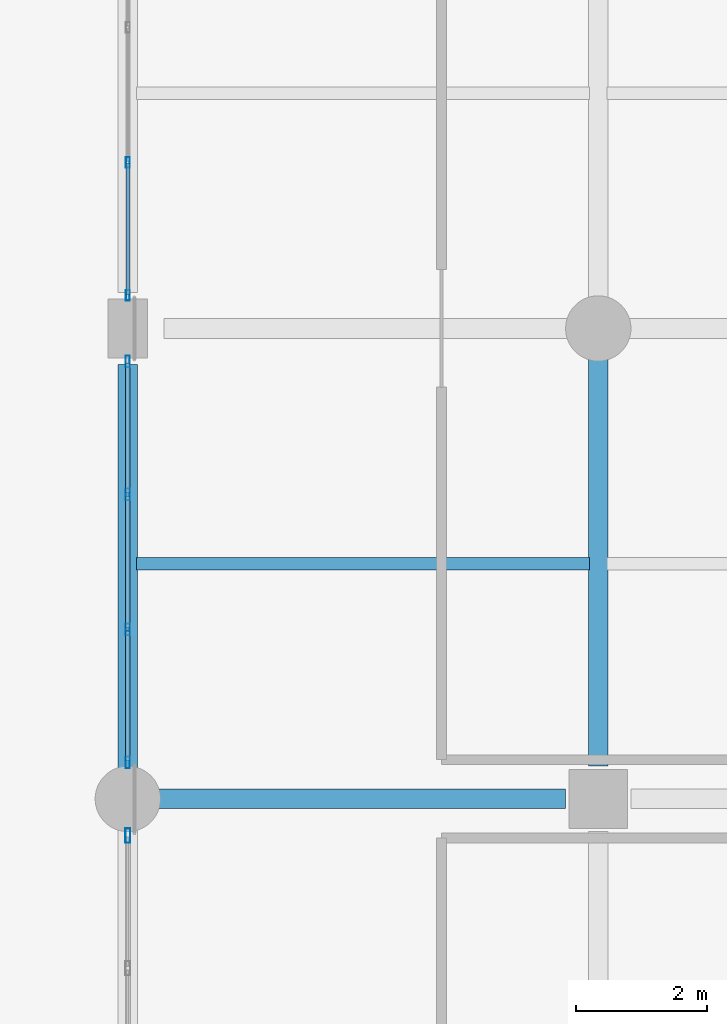
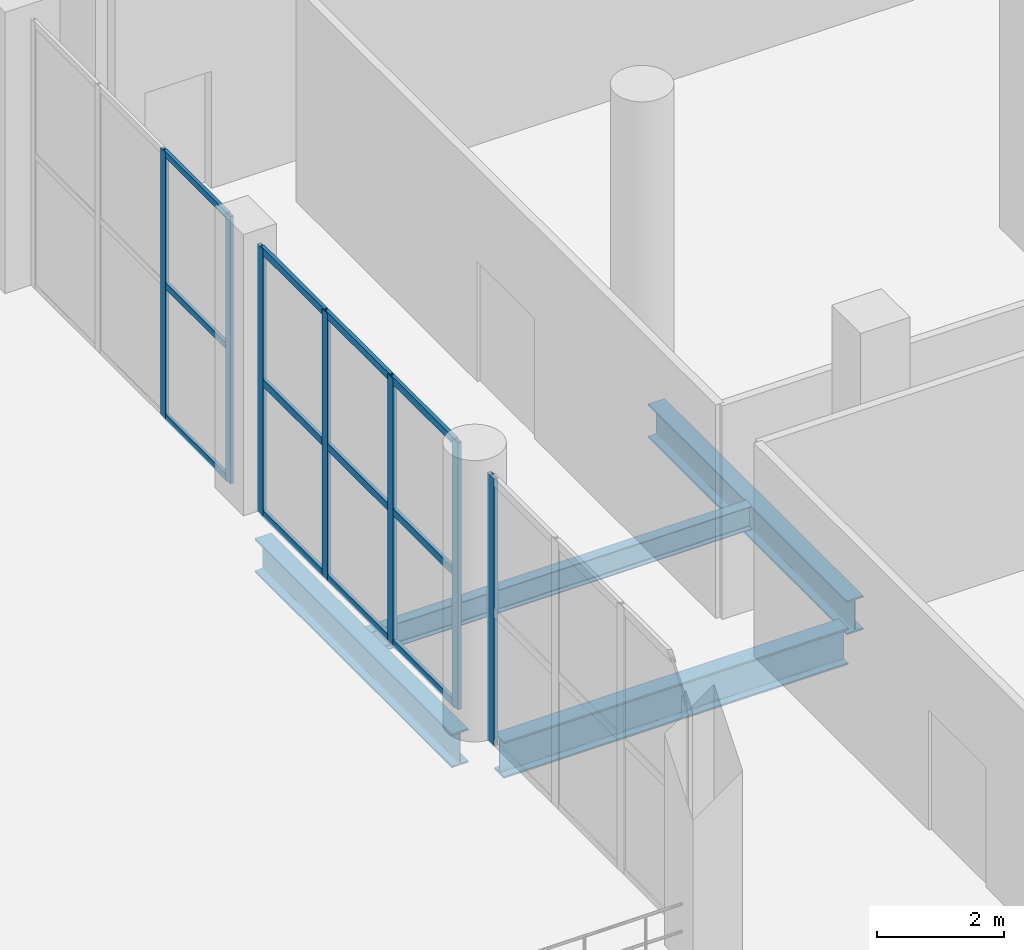
# One storey, part 19 of 58: 19 members, 4 beams, 3 elements without a shape of their own.
"""IFC4 building model written with IfcOpenShell, lengths in metres."""

from ifc_helpers import new_model, si_unit, direction, frame, origin, origin_2d, place, context, subcontext, project, spatial, hollow_rectangle, i_section, extrude, material, material_profile, profile_set, type_object, element, aggregate, save


model = new_model("IFC4")

# Units and contexts
model_context = context("Model", 3, precision=1e-05, world=origin(), true_north=direction((0.0, 1.0)))
body_context = subcontext(model_context, "Body", "Model", "MODEL_VIEW")
ifc_project = project(units=[si_unit("LENGTHUNIT", "METRE"), si_unit("AREAUNIT", "SQUARE_METRE"), si_unit("VOLUMEUNIT", "CUBIC_METRE"), si_unit("PLANEANGLEUNIT", "RADIAN"), si_unit("MASSUNIT", "GRAM", prefix="KILO")], contexts=[model_context])

# Site, building, storey
site_placement = place(None, origin())
site = spatial("IfcSite", under=ifc_project, at=site_placement, CompositionType="ELEMENT")
building_placement = place(site_placement, origin())
building = spatial("IfcBuilding", under=site, at=building_placement, Name="Qandorah Velis Arena", CompositionType="ELEMENT")
storey_placement = place(building_placement, origin())
storey = spatial("IfcBuildingStorey", under=building, at=storey_placement, Name="L00", CompositionType="ELEMENT", Elevation=0.0)

# Curtain wall, members
ifc_material_1 = material(Name="Solar-control low-E double glazing", Category="glass")
curtain_wall_type_1 = type_object("IfcCurtainWallType", Name="ARC-CW-SYS23", PredefinedType="USERDEFINED", material=ifc_material_1)
curtain_wall_1_placement = place(storey_placement, origin())
curtain_wall_1 = element("IfcCurtainWall", 1, at=curtain_wall_1_placement, inside=storey, type_object=curtain_wall_type_1, Name="Unitised curtain wall L00-119", ObjectType="UNITISED CURTAIN WALL", PredefinedType="USERDEFINED")
ifc_material_2 = material(Name="Champagne-bronze anodized aluminium 6063-T6", Category="aluminium")
ifc_material_profile_1 = material_profile(ifc_material_2, hollow_rectangle(XDim=0.06005859375, YDim=0.159912109375, WallThickness=0.00341796875, at=origin_2d()), Name="ALU MULLION 60x160")
ifc_profile_set_1 = profile_set([ifc_material_profile_1], Name="Champagne-bronze anodized aluminium 6063-T6")
member_type_1 = type_object("IfcMemberType", Name="ARC-CWM-160", PredefinedType="MULLION", material=ifc_profile_set_1)
member_1_placement = place(storey_placement, frame((151.199951171875, 72.5048828125, -0.014892578125), z_axis=(0.0, 0.0, 1.0), x_axis=(-1.0, 0.0, 0.0)))
member_1 = element("IfcMember", 2, at=member_1_placement, type_object=member_type_1, Name="CW23 mullion 1", PredefinedType="MULLION", context=body_context, shape_type="SweptSolid", body=[
    extrude(hollow_rectangle(XDim=0.06005859375, YDim=0.159912109375, WallThickness=0.00341796875, at=origin_2d()), origin(), (0.0, 0.0, 1.0), 5.1298828125),
])
member_2_placement = place(storey_placement, frame((151.199951171875, 74.541748046875, -0.014892578125), z_axis=(0.0, 0.0, 1.0), x_axis=(-1.0, 0.0, 0.0)))
member_2 = element("IfcMember", 3, at=member_2_placement, type_object=member_type_1, Name="CW23 mullion 2", PredefinedType="MULLION", context=body_context, shape_type="SweptSolid", body=[
    extrude(hollow_rectangle(XDim=0.06005859375, YDim=0.159912109375, WallThickness=0.00341796875, at=origin_2d()), origin(), (0.0, 0.0, 1.0), 5.1298828125),
])

curtain_wall_type_2 = type_object("IfcCurtainWallType", Name="ARC-CW-SYS22", PredefinedType="USERDEFINED", material=ifc_material_1)
curtain_wall_2_placement = place(storey_placement, origin())
curtain_wall_2 = element("IfcCurtainWall", 4, at=curtain_wall_2_placement, inside=storey, type_object=curtain_wall_type_2, Name="Unitised curtain wall L00-118", ObjectType="UNITISED CURTAIN WALL", PredefinedType="USERDEFINED")
ifc_material_profile_2 = material_profile(ifc_material_2, hollow_rectangle(XDim=0.06494140625, YDim=0.179931640625, WallThickness=0.00341796875, at=origin_2d()), Name="ALU MULLION 65x180")
ifc_profile_set_2 = profile_set([ifc_material_profile_2], Name="Champagne-bronze anodized aluminium 6063-T6")
member_type_2 = type_object("IfcMemberType", Name="ARC-CWM-180", PredefinedType="MULLION", material=ifc_profile_set_2)
member_3_placement = place(storey_placement, frame((151.199951171875, 65.357421875, -0.014892578125), z_axis=(0.0, 0.0, 1.0), x_axis=(-1.0, 0.0, 0.0)))
member_3 = element("IfcMember", 5, at=member_3_placement, type_object=member_type_2, Name="CW22 mullion 1", PredefinedType="MULLION", context=body_context, shape_type="SweptSolid", body=[
    extrude(hollow_rectangle(XDim=0.06494140625, YDim=0.179931640625, WallThickness=0.00341796875, at=origin_2d()), origin(), (0.0, 0.0, 1.0), 5.1298828125),
])
member_4_placement = place(storey_placement, frame((151.199951171875, 67.3916015625, -0.014892578125), z_axis=(0.0, 0.0, 1.0), x_axis=(-1.0, 0.0, 0.0)))
member_4 = element("IfcMember", 6, at=member_4_placement, type_object=member_type_2, Name="CW22 mullion 2", PredefinedType="MULLION", context=body_context, shape_type="SweptSolid", body=[
    extrude(hollow_rectangle(XDim=0.06494140625, YDim=0.179931640625, WallThickness=0.00341796875, at=origin_2d()), origin(), (0.0, 0.0, 1.0), 5.1298828125),
])
member_5_placement = place(storey_placement, frame((151.199951171875, 69.458251953125, -0.014892578125), z_axis=(0.0, 0.0, 1.0), x_axis=(-1.0, 0.0, 0.0)))
member_5 = element("IfcMember", 7, at=member_5_placement, type_object=member_type_2, Name="CW22 mullion 3", PredefinedType="MULLION", context=body_context, shape_type="SweptSolid", body=[
    extrude(hollow_rectangle(XDim=0.06494140625, YDim=0.179931640625, WallThickness=0.00341796875, at=origin_2d()), origin(), (0.0, 0.0, 1.0), 5.1298828125),
])
member_6_placement = place(storey_placement, frame((151.199951171875, 71.492431640625, -0.014892578125), z_axis=(0.0, 0.0, 1.0), x_axis=(-1.0, 0.0, 0.0)))
member_6 = element("IfcMember", 8, at=member_6_placement, type_object=member_type_2, Name="CW22 mullion 4", PredefinedType="MULLION", context=body_context, shape_type="SweptSolid", body=[
    extrude(hollow_rectangle(XDim=0.06494140625, YDim=0.179931640625, WallThickness=0.00341796875, at=origin_2d()), origin(), (0.0, 0.0, 1.0), 5.1298828125),
])

# Curtain wall, member
curtain_wall_type_3 = type_object("IfcCurtainWallType", Name="ARC-CW-SYS21", PredefinedType="USERDEFINED", material=ifc_material_1)
curtain_wall_3_placement = place(storey_placement, origin())
curtain_wall_3 = element("IfcCurtainWall", 9, at=curtain_wall_3_placement, inside=storey, type_object=curtain_wall_type_3, Name="Unitised curtain wall L00-117", ObjectType="UNITISED CURTAIN WALL", PredefinedType="USERDEFINED")
ifc_material_profile_3 = material_profile(ifc_material_2, hollow_rectangle(XDim=0.074951171875, YDim=0.219970703125, WallThickness=0.00390625, at=origin_2d()), Name="ALU MULLION 75x220")
ifc_profile_set_3 = profile_set([ifc_material_profile_3], Name="Champagne-bronze anodized aluminium 6063-T6")
member_type_3 = type_object("IfcMemberType", Name="ARC-CWM-220", PredefinedType="MULLION", material=ifc_profile_set_3)
member_7_placement = place(storey_placement, frame((151.199951171875, 64.237548828125, -0.014892578125), z_axis=(0.0, 0.0, 1.0), x_axis=(-1.0, 0.0, 0.0)))
member_7 = element("IfcMember", 10, at=member_7_placement, type_object=member_type_3, Name="CW21 mullion 4", PredefinedType="MULLION", context=body_context, shape_type="SweptSolid", body=[
    extrude(hollow_rectangle(XDim=0.074951171875, YDim=0.219970703125, WallThickness=0.00390625, at=origin_2d()), origin(), (0.0, 0.0, 1.0), 5.1298828125),
])
aggregate(curtain_wall_3, [member_7])

# Member
ifc_material_profile_4 = material_profile(ifc_material_2, hollow_rectangle(XDim=0.06005859375, YDim=0.1201171875, WallThickness=0.0029296875, at=origin_2d()), Name="ALU TRANSOM 60x120")
ifc_profile_set_4 = profile_set([ifc_material_profile_4], Name="Champagne-bronze anodized aluminium 6063-T6")
member_type_4 = type_object("IfcMemberType", Name="ARC-CWT-120", PredefinedType="USERDEFINED", material=ifc_profile_set_4)
member_8_placement = place(storey_placement, frame((151.199951171875, 72.52294921875, 0.030029296875), z_axis=(0.0, 1.0, 0.0), x_axis=(-1.0, 0.0, 0.0)))
member_8 = element("IfcMember", 11, at=member_8_placement, type_object=member_type_4, Name="CW23 transom 1.1", ObjectType="TRANSOM", PredefinedType="USERDEFINED", context=body_context, shape_type="SweptSolid", body=[
    extrude(hollow_rectangle(XDim=0.06005859375, YDim=0.1201171875, WallThickness=0.0029296875, at=origin_2d()), origin(), (0.0, 0.0, 1.0), 2.000732421875),
])

member_9_placement = place(storey_placement, frame((151.199951171875, 72.52294921875, 2.550048828125), z_axis=(0.0, 1.0, 0.0), x_axis=(-1.0, 0.0, 0.0)))
member_9 = element("IfcMember", 12, at=member_9_placement, type_object=member_type_4, Name="CW23 transom 1.2", ObjectType="TRANSOM", PredefinedType="USERDEFINED", context=body_context, shape_type="SweptSolid", body=[
    extrude(hollow_rectangle(XDim=0.06005859375, YDim=0.1201171875, WallThickness=0.0029296875, at=origin_2d()), origin(), (0.0, 0.0, 1.0), 2.000732421875),
])

member_10_placement = place(storey_placement, frame((151.199951171875, 72.52294921875, 5.070068359375), z_axis=(0.0, 1.0, 0.0), x_axis=(-1.0, 0.0, 0.0)))
member_10 = element("IfcMember", 13, at=member_10_placement, type_object=member_type_4, Name="CW23 transom 1.3", ObjectType="TRANSOM", PredefinedType="USERDEFINED", context=body_context, shape_type="SweptSolid", body=[
    extrude(hollow_rectangle(XDim=0.06005859375, YDim=0.1201171875, WallThickness=0.0029296875, at=origin_2d()), origin(), (0.0, 0.0, 1.0), 2.000732421875),
])

aggregate(curtain_wall_1, [member_1, member_2, member_8, member_9, member_10])

ifc_material_profile_5 = material_profile(ifc_material_2, hollow_rectangle(XDim=0.06494140625, YDim=0.139892578125, WallThickness=0.0029296875, at=origin_2d()), Name="ALU TRANSOM 65x140")
ifc_profile_set_5 = profile_set([ifc_material_profile_5], Name="Champagne-bronze anodized aluminium 6063-T6")
member_type_5 = type_object("IfcMemberType", Name="ARC-CWT-140", PredefinedType="USERDEFINED", material=ifc_profile_set_5)
member_11_placement = place(storey_placement, frame((151.199951171875, 65.3779296875, 0.032470703125), z_axis=(0.0, 1.0, 0.0), x_axis=(-1.0, 0.0, 0.0)))
member_11 = element("IfcMember", 14, at=member_11_placement, type_object=member_type_5, Name="CW22 transom 1.1", ObjectType="TRANSOM", PredefinedType="USERDEFINED", context=body_context, shape_type="SweptSolid", body=[
    extrude(hollow_rectangle(XDim=0.06494140625, YDim=0.139892578125, WallThickness=0.0029296875, at=origin_2d()), origin(), (0.0, 0.0, 1.0), 1.9931640625),
])

member_12_placement = place(storey_placement, frame((151.199951171875, 65.3779296875, 2.550048828125), z_axis=(0.0, 1.0, 0.0), x_axis=(-1.0, 0.0, 0.0)))
member_12 = element("IfcMember", 15, at=member_12_placement, type_object=member_type_5, Name="CW22 transom 1.2", ObjectType="TRANSOM", PredefinedType="USERDEFINED", context=body_context, shape_type="SweptSolid", body=[
    extrude(hollow_rectangle(XDim=0.06494140625, YDim=0.139892578125, WallThickness=0.0029296875, at=origin_2d()), origin(), (0.0, 0.0, 1.0), 1.9931640625),
])

member_13_placement = place(storey_placement, frame((151.199951171875, 65.3779296875, 5.0673828125), z_axis=(0.0, 1.0, 0.0), x_axis=(-1.0, 0.0, 0.0)))
member_13 = element("IfcMember", 16, at=member_13_placement, type_object=member_type_5, Name="CW22 transom 1.3", ObjectType="TRANSOM", PredefinedType="USERDEFINED", context=body_context, shape_type="SweptSolid", body=[
    extrude(hollow_rectangle(XDim=0.06494140625, YDim=0.139892578125, WallThickness=0.0029296875, at=origin_2d()), origin(), (0.0, 0.0, 1.0), 1.9931640625),
])

member_14_placement = place(storey_placement, frame((151.199951171875, 67.412109375, 0.032470703125), z_axis=(0.0, 1.0, 0.0), x_axis=(-1.0, 0.0, 0.0)))
member_14 = element("IfcMember", 17, at=member_14_placement, type_object=member_type_5, Name="CW22 transom 2.1", ObjectType="TRANSOM", PredefinedType="USERDEFINED", context=body_context, shape_type="SweptSolid", body=[
    extrude(hollow_rectangle(XDim=0.06494140625, YDim=0.139892578125, WallThickness=0.0029296875, at=origin_2d()), origin(), (0.0, 0.0, 1.0), 2.025634765625),
])

member_15_placement = place(storey_placement, frame((151.199951171875, 67.412109375, 2.550048828125), z_axis=(0.0, 1.0, 0.0), x_axis=(-1.0, 0.0, 0.0)))
member_15 = element("IfcMember", 18, at=member_15_placement, type_object=member_type_5, Name="CW22 transom 2.2", ObjectType="TRANSOM", PredefinedType="USERDEFINED", context=body_context, shape_type="SweptSolid", body=[
    extrude(hollow_rectangle(XDim=0.06494140625, YDim=0.139892578125, WallThickness=0.0029296875, at=origin_2d()), origin(), (0.0, 0.0, 1.0), 2.025634765625),
])

member_16_placement = place(storey_placement, frame((151.199951171875, 67.412109375, 5.0673828125), z_axis=(0.0, 1.0, 0.0), x_axis=(-1.0, 0.0, 0.0)))
member_16 = element("IfcMember", 19, at=member_16_placement, type_object=member_type_5, Name="CW22 transom 2.3", ObjectType="TRANSOM", PredefinedType="USERDEFINED", context=body_context, shape_type="SweptSolid", body=[
    extrude(hollow_rectangle(XDim=0.06494140625, YDim=0.139892578125, WallThickness=0.0029296875, at=origin_2d()), origin(), (0.0, 0.0, 1.0), 2.025634765625),
])

member_17_placement = place(storey_placement, frame((151.199951171875, 69.478759765625, 0.032470703125), z_axis=(0.0, 1.0, 0.0), x_axis=(-1.0, 0.0, 0.0)))
member_17 = element("IfcMember", 20, at=member_17_placement, type_object=member_type_5, Name="CW22 transom 3.1", ObjectType="TRANSOM", PredefinedType="USERDEFINED", context=body_context, shape_type="SweptSolid", body=[
    extrude(hollow_rectangle(XDim=0.06494140625, YDim=0.139892578125, WallThickness=0.0029296875, at=origin_2d()), origin(), (0.0, 0.0, 1.0), 1.9931640625),
])

member_18_placement = place(storey_placement, frame((151.199951171875, 69.478759765625, 2.550048828125), z_axis=(0.0, 1.0, 0.0), x_axis=(-1.0, 0.0, 0.0)))
member_18 = element("IfcMember", 21, at=member_18_placement, type_object=member_type_5, Name="CW22 transom 3.2", ObjectType="TRANSOM", PredefinedType="USERDEFINED", context=body_context, shape_type="SweptSolid", body=[
    extrude(hollow_rectangle(XDim=0.06494140625, YDim=0.139892578125, WallThickness=0.0029296875, at=origin_2d()), origin(), (0.0, 0.0, 1.0), 1.9931640625),
])

member_19_placement = place(storey_placement, frame((151.199951171875, 69.478759765625, 5.0673828125), z_axis=(0.0, 1.0, 0.0), x_axis=(-1.0, 0.0, 0.0)))
member_19 = element("IfcMember", 22, at=member_19_placement, type_object=member_type_5, Name="CW22 transom 3.3", ObjectType="TRANSOM", PredefinedType="USERDEFINED", context=body_context, shape_type="SweptSolid", body=[
    extrude(hollow_rectangle(XDim=0.06494140625, YDim=0.139892578125, WallThickness=0.0029296875, at=origin_2d()), origin(), (0.0, 0.0, 1.0), 1.9931640625),
])

aggregate(curtain_wall_2, [member_3, member_4, member_5, member_6, member_11, member_12, member_13, member_14, member_15, member_16, member_17, member_18, member_19])

# Beams
ifc_material_3 = material(Name="Steel S355", Category="steel")
ifc_material_profile_6 = material_profile(ifc_material_3, i_section(OverallWidth=0.300048828125, OverallDepth=0.64990234375, WebThickness=0.01611328125, FlangeThickness=0.031005859375, FilletRadius=0.027099609375, at=origin_2d()), Name="HEB 650")
ifc_profile_set_6 = profile_set([ifc_material_profile_6], Name="Steel S355")
beam_type_1 = type_object("IfcBeamType", Name="STR-BM-HEB650", PredefinedType="BEAM", material=ifc_profile_set_6)
beam_1_placement = place(storey_placement, frame((151.199951171875, 65.25, -0.7451171875), z_axis=(0.0, 1.0, 0.0), x_axis=(-1.0, 0.0, 0.0)))
element("IfcBeam", 23, at=beam_1_placement, inside=storey, type_object=beam_type_1, Name="Primary floor girder L00 Y-507", PredefinedType="BEAM", context=body_context, shape_type="SweptSolid", body=[
    extrude(i_section(OverallWidth=0.300048828125, OverallDepth=0.64990234375, WebThickness=0.01611328125, FlangeThickness=0.031005859375, FilletRadius=0.027099609375, at=origin_2d()), origin(), (0.0, 0.0, 1.0), 6.199951171875),
])
beam_2_placement = place(storey_placement, frame((158.39990234375, 65.300048828125, -0.7451171875), z_axis=(0.0, 1.0, 0.0), x_axis=(-1.0, 0.0, 0.0)))
element("IfcBeam", 24, at=beam_2_placement, inside=storey, type_object=beam_type_1, Name="Primary floor girder L00 Y-512", PredefinedType="BEAM", context=body_context, shape_type="SweptSolid", body=[
    extrude(i_section(OverallWidth=0.300048828125, OverallDepth=0.64990234375, WebThickness=0.01611328125, FlangeThickness=0.031005859375, FilletRadius=0.027099609375, at=origin_2d()), origin(), (0.0, 0.0, 1.0), 6.25),
])
ifc_material_profile_7 = material_profile(ifc_material_3, i_section(OverallWidth=0.300048828125, OverallDepth=0.699951171875, WebThickness=0.01708984375, FlangeThickness=0.031982421875, FilletRadius=0.027099609375, at=origin_2d()), Name="HEB 700")
ifc_profile_set_7 = profile_set([ifc_material_profile_7], Name="Steel S355")
beam_type_2 = type_object("IfcBeamType", Name="STR-BM-HEB700", PredefinedType="BEAM", material=ifc_profile_set_7)
beam_3_placement = place(storey_placement, frame((151.64990234375, 64.800048828125, -0.77001953125), z_axis=(1.0, 0.0, 0.0), x_axis=(0.0, 1.0, 0.0)))
element("IfcBeam", 25, at=beam_3_placement, inside=storey, type_object=beam_type_2, Name="Primary floor girder L00 X-135", PredefinedType="BEAM", context=body_context, shape_type="SweptSolid", body=[
    extrude(i_section(OverallWidth=0.300048828125, OverallDepth=0.699951171875, WebThickness=0.01708984375, FlangeThickness=0.031982421875, FilletRadius=0.027099609375, at=origin_2d()), origin(), (0.0, 0.0, 1.0), 6.25),
])
ifc_material_profile_8 = material_profile(ifc_material_3, i_section(OverallWidth=0.18994140625, OverallDepth=0.449951171875, WebThickness=0.009521484375, FlangeThickness=0.0146484375, FilletRadius=0.02099609375, at=origin_2d()), Name="IPE 450")
ifc_profile_set_8 = profile_set([ifc_material_profile_8], Name="Steel S355")
beam_type_3 = type_object("IfcBeamType", Name="STR-JST-IPE450", PredefinedType="JOIST", material=ifc_profile_set_8)
beam_4_placement = place(storey_placement, frame((151.3349609375, 68.39990234375, -0.64501953125), z_axis=(1.0, 0.0, 0.0), x_axis=(0.0, 1.0, 0.0)))
element("IfcBeam", 26, at=beam_4_placement, inside=storey, type_object=beam_type_3, Name="Secondary floor joist L00-194", PredefinedType="JOIST", context=body_context, shape_type="SweptSolid", body=[
    extrude(i_section(OverallWidth=0.18994140625, OverallDepth=0.449951171875, WebThickness=0.009521484375, FlangeThickness=0.0146484375, FilletRadius=0.02099609375, at=origin_2d()), origin(), (0.0, 0.0, 1.0), 6.929931640625),
])

save(model, "model.ifc")
